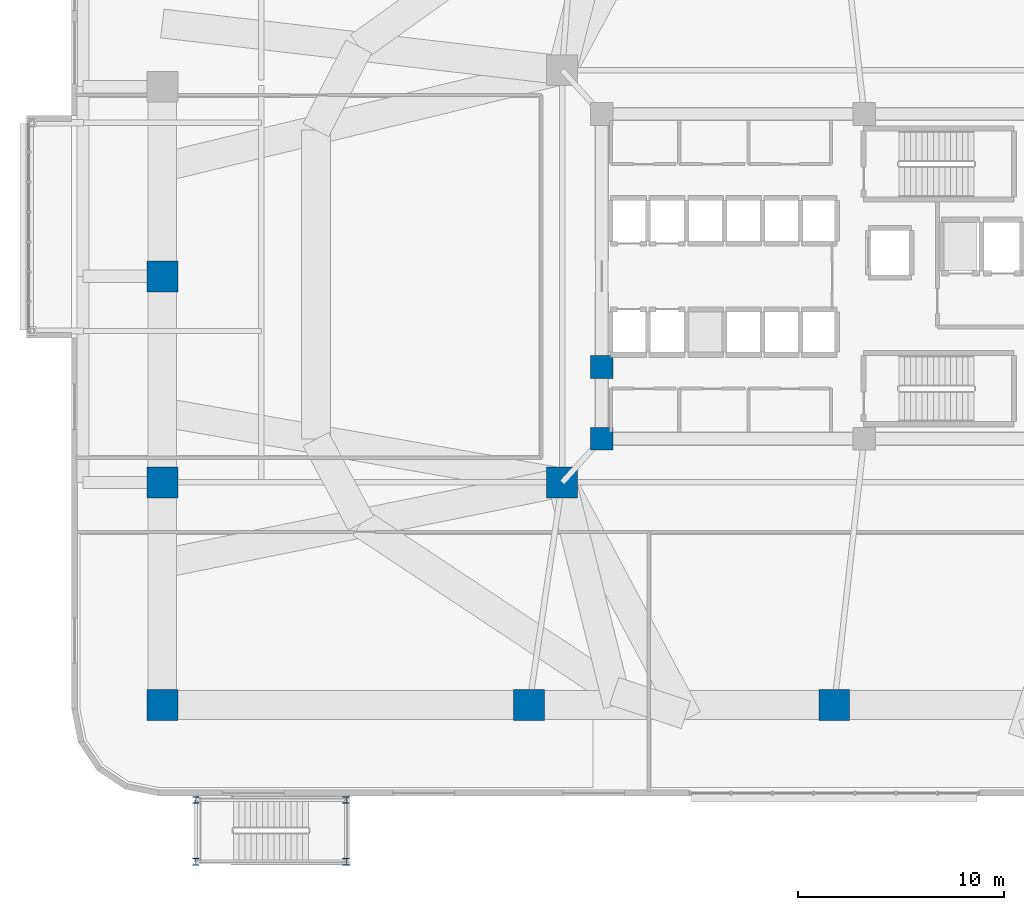
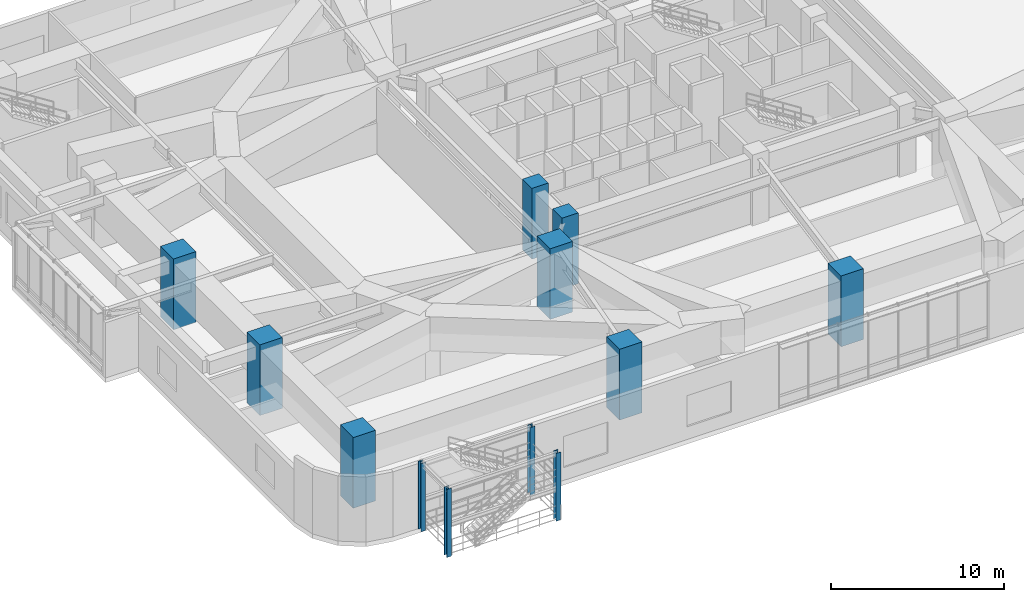
# One storey, part 1 of 26: 12 columns.
"""IFC4 building model written with IfcOpenShell, lengths in metres."""

import ifcopenshell
import ifcopenshell.guid

model = None  # the IFC model being written
_history = None  # IfcOwnerHistory: only IFC2X3 demands one
_inside = {}  # id of a spatial element -> (the spatial element, [elements in it])
_under = {}  # id of a project, library or spatial element -> (it, [spatial elements below it])
_declared = {}  # id of a project -> (the project, [libraries it declares])
_typed = {}  # id of a type object -> (the type object, [elements of that type])
_made_of = {}  # id of a material, layer set ... -> (it, [elements and type objects made of it])


def new_model(schema):
    """Start an empty IFC model of exactly this schema.

    Asked for "IFC4X3", IfcOpenShell would pick the latest addendum, in which some entities
    have other attributes; the version numbers below select the first issue.
    IFC2X3 requires an IfcOwnerHistory on every rooted entity: one is made here for all.
    """
    global model, _history
    if schema == "IFC4X3":
        model = ifcopenshell.file(schema_version=(4, 3, 0, 0))
    else:
        model = ifcopenshell.file(schema=schema)
    _inside.clear()
    _under.clear()
    _declared.clear()
    _typed.clear()
    _made_of.clear()
    _history = None
    if model.schema == "IFC2X3":
        org = make("IfcOrganization", Name="unknown")
        user = make(
            "IfcPersonAndOrganization",
            ThePerson=make("IfcPerson", FamilyName="unknown"),
            TheOrganization=org,
        )
        app = make(
            "IfcApplication",
            ApplicationDeveloper=org,
            Version="unknown",
            ApplicationFullName="unknown",
            ApplicationIdentifier="unknown",
        )
        _history = make(
            "IfcOwnerHistory",
            OwningUser=user,
            OwningApplication=app,
            ChangeAction="ADDED",
            CreationDate=0,
        )
    return model


def make(cls, **values):
    """One entity of the class cls with the attributes given. An attribute that is None is left unset."""
    return model.create_entity(
        cls, **{name: value for name, value in values.items() if value is not None}
    )


def rooted(cls, **values):
    """An entity with a GlobalId (a new one), such as an element, a storey or a relation."""
    return make(cls, GlobalId=ifcopenshell.guid.new(), OwnerHistory=_history, **values)


def si_unit(unit_type, name, prefix=None):
    """IfcSIUnit, for example si_unit("LENGTHUNIT", "METRE", prefix="MILLI")."""
    return make("IfcSIUnit", UnitType=unit_type, Prefix=prefix, Name=name)


def assignment(units):
    """IfcUnitAssignment: the units of a project."""
    return None if units is None else make("IfcUnitAssignment", Units=units)


def point(xyz):
    """IfcCartesianPoint."""
    return None if xyz is None else make("IfcCartesianPoint", Coordinates=xyz)


def direction(xyz):
    """IfcDirection."""
    return None if xyz is None else make("IfcDirection", DirectionRatios=xyz)


def frame(location, z_axis=None, x_axis=None):
    """IfcAxis2Placement3D, a coordinate frame: its origin and axes. An axis left out is left unset."""
    return make(
        "IfcAxis2Placement3D",
        Location=point(location),
        Axis=direction(z_axis),
        RefDirection=direction(x_axis),
    )


def frame_2d(location, x_axis=None):
    """IfcAxis2Placement2D, a coordinate frame in the plane: its origin and x axis."""
    return make(
        "IfcAxis2Placement2D", Location=point(location), RefDirection=direction(x_axis)
    )


def origin():
    """The frame at (0, 0, 0) with its axes left unset."""
    return frame((0.0, 0.0, 0.0))


def origin_2d():
    """The frame at (0, 0) in the plane with its x axis left unset."""
    return frame_2d((0.0, 0.0))


def place(relative_to, where):
    """IfcLocalPlacement: puts the frame where relative to a parent placement (None: the world)."""
    return make(
        "IfcLocalPlacement", PlacementRelTo=relative_to, RelativePlacement=where
    )


def context(
    kind, dimensions, precision=None, world=None, true_north=None, identifier=None
):
    """IfcGeometricRepresentationContext, for example the 3D "Model" context."""
    return make(
        "IfcGeometricRepresentationContext",
        ContextIdentifier=identifier,
        ContextType=kind,
        CoordinateSpaceDimension=dimensions,
        Precision=precision,
        WorldCoordinateSystem=world,
        TrueNorth=true_north,
    )


def subcontext(parent, identifier, kind, view, scale=None):
    """IfcGeometricRepresentationSubContext, for example "Body" below "Model"."""
    return make(
        "IfcGeometricRepresentationSubContext",
        ContextIdentifier=identifier,
        ContextType=kind,
        ParentContext=parent,
        TargetScale=scale,
        TargetView=view,
    )


def project(units=None, contexts=None):
    """IfcProject with its units and contexts."""
    return rooted(
        "IfcProject",
        Name="project",
        RepresentationContexts=contexts,
        UnitsInContext=assignment(units),
    )


def spatial(cls, under=None, at=None, **own):
    """A site, building, storey or space (cls), placed at a placement, below another one or the project."""
    s = rooted(cls, ObjectPlacement=at, **own)
    if under is not None:
        _under.setdefault(under.id(), (under, []))[1].append(s)
    return s


def profile(cls, at=None, kind="AREA", **sizes):
    """A parametric profile (cls). Its sizes go by their IFC names, for example OverallWidth=200.0."""
    return make(cls, ProfileType=kind, Position=at, **sizes)


def rectangle(**sizes):
    """IfcRectangleProfileDef."""
    return profile("IfcRectangleProfileDef", **sizes)


def i_section(**sizes):
    """IfcIShapeProfileDef."""
    return profile("IfcIShapeProfileDef", **sizes)


def extrude(swept, where, along, depth):
    """IfcExtrudedAreaSolid: the profile swept, set in the frame where, extruded along a direction by depth."""
    return make(
        "IfcExtrudedAreaSolid",
        SweptArea=swept,
        Position=where,
        ExtrudedDirection=direction(along),
        Depth=depth,
    )


def shape(context_of_items, identifier, shape_type, items):
    """IfcShapeRepresentation: the items that make up one representation, for example the "Body"."""
    return make(
        "IfcShapeRepresentation",
        ContextOfItems=context_of_items,
        RepresentationIdentifier=identifier,
        RepresentationType=shape_type,
        Items=items,
    )


def material(Name=None, Category=None):
    """IfcMaterial."""
    return make("IfcMaterial", Name=Name, Category=Category)


def material_profile(
    of_material, cross_section, Name=None, Category=None, Priority=None
):
    """IfcMaterialProfile: a cross section and its material."""
    return make(
        "IfcMaterialProfile",
        Name=Name,
        Material=of_material,
        Profile=cross_section,
        Priority=Priority,
        Category=Category,
    )


def profile_set(profiles, Name=None, composite=None):
    """IfcMaterialProfileSet."""
    return make(
        "IfcMaterialProfileSet",
        Name=Name,
        MaterialProfiles=profiles,
        CompositeProfile=composite,
    )


def made_of(thing, what):
    """Note that an element or type object is made of a material, layer set ...; save() writes the relation."""
    if what is not None:
        _made_of.setdefault(what.id(), (what, []))[1].append(thing)
    return thing


def type_object(cls, material=None, **own):
    """A type object (cls), such as IfcWallType, which elements share."""
    return made_of(rooted(cls, **own), material)


def element(
    cls,
    number,
    at=None,
    inside=None,
    cuts=None,
    type_object=None,
    material=None,
    context=None,
    identifier="Body",
    shape_type=None,
    held_by="IfcProductDefinitionShape",
    body=None,
    shapes=None,
    **own,
):
    """One element of the class cls, such as IfcWall. Its Tag is "e" and its number.

    at: its placement. inside: the storey or other place that contains it. cuts: it is an
    opening in that element (IfcRelVoidsElement). A single representation is given by context,
    identifier, shape_type and body (its items); several are given by shapes. held_by: the class
    of the entity that holds the representations. save() writes the other relations.
    """
    e = rooted(cls, Tag="e%d" % number, ObjectPlacement=at, **own)
    if body is not None:
        shapes = [shape(context, identifier, shape_type, body)]
    if shapes is not None:
        e.Representation = make(held_by, Representations=shapes)
    if inside is not None:
        _inside.setdefault(inside.id(), (inside, []))[1].append(e)
    if cuts is not None:
        rooted(
            "IfcRelVoidsElement", RelatingBuildingElement=cuts, RelatedOpeningElement=e
        )
    if type_object is not None:
        _typed.setdefault(type_object.id(), (type_object, []))[1].append(e)
    return made_of(e, material)


def aggregate(whole, parts):
    """IfcRelAggregates: a whole, such as a stair, and the parts it consists of."""
    return rooted("IfcRelAggregates", RelatingObject=whole, RelatedObjects=parts)


def save(model, path):
    """Write the relations noted so far, then the file.

    IfcRelAggregates (storeys below a building ...), IfcRelContainedInSpatialStructure (elements
    in a storey), IfcRelDefinesByType, IfcRelAssociatesMaterial and IfcRelDeclares: one each for
    every whole, place, type object, material and project.
    """
    for whole, parts in _under.values():
        aggregate(whole, parts)
    for where, things in _inside.values():
        rooted(
            "IfcRelContainedInSpatialStructure",
            RelatedElements=things,
            RelatingStructure=where,
        )
    for kind, things in _typed.values():
        rooted("IfcRelDefinesByType", RelatedObjects=things, RelatingType=kind)
    for what, things in _made_of.values():
        rooted("IfcRelAssociatesMaterial", RelatedObjects=things, RelatingMaterial=what)
    for by, libraries in _declared.values():
        rooted("IfcRelDeclares", RelatingContext=by, RelatedDefinitions=libraries)
    model.write(path)


model = new_model("IFC4")

# Units and contexts
model_context = context("Model", 3, precision=1e-05, world=origin(), true_north=direction((0.0, 1.0)))
body_context = subcontext(model_context, "Body", "Model", "MODEL_VIEW")
ifc_project = project(units=[si_unit("LENGTHUNIT", "METRE"), si_unit("AREAUNIT", "SQUARE_METRE"), si_unit("VOLUMEUNIT", "CUBIC_METRE"), si_unit("PLANEANGLEUNIT", "RADIAN"), si_unit("MASSUNIT", "GRAM", prefix="KILO")], contexts=[model_context])

# Site, building, storey
site_placement = place(None, origin())
site = spatial("IfcSite", under=ifc_project, at=site_placement, CompositionType="ELEMENT")
building_placement = place(site_placement, origin())
building = spatial("IfcBuilding", under=site, at=building_placement, Name="Zulverin Broadcast Headquarters", CompositionType="ELEMENT")
storey_placement = place(building_placement, frame((0.0, 0.0, 20.0)))
storey = spatial("IfcBuildingStorey", under=building, at=storey_placement, Name="L04", CompositionType="ELEMENT", Elevation=20.0)

# Columns
ifc_material_1 = material(Name="Concrete C60/75", Category="concrete")
ifc_material_profile_1 = material_profile(ifc_material_1, rectangle(XDim=1.5, YDim=1.5, at=origin_2d()), Name="Concrete C60/75", Category="concrete")
ifc_profile_set_1 = profile_set([ifc_material_profile_1], Name="Concrete C60/75")
column_type_1 = type_object("IfcColumnType", Name="COL-RC-1500", PredefinedType="COLUMN", material=ifc_profile_set_1)
for number, where, z_axis, x_axis, name in (
    (1, (4.39990234375, 4.39990234375, 0.0), (0.0, 0.0, 1.0), (1.0, 0.0, 0.0), "L04 Podium Mega Column P01"),
    (2, (22.199951171875, 4.39990234375, 0.0), (0.0, 0.0, 1.0), (1.0, 0.0, 0.0), "L04 Podium Mega Column P02"),
    (3, (37.0, 4.39990234375, 0.0), (0.0, 0.0, 1.0), (1.0, 0.0, 0.0), "L04 Podium Mega Column P03"),
    (4, (4.39990234375, 15.199951171875, 0.0), (0.0, 0.0, 1.0), (1.0, 0.0, 0.0), "L04 Podium Mega Column P11"),
    (5, (4.39990234375, 25.199951171875, 0.0), (0.0, 0.0, 1.0), (1.0, 0.0, 0.0), "L04 Podium Mega Column P12"),
    (6, (23.800048828125, 15.199951171875, 0.0), (0.0, 0.0, 1.0), (1.0, 0.0, 0.0), "L04 Podium Mega Column M01"),
):
    element("IfcColumn", number, at=place(storey_placement, frame(where, z_axis=z_axis, x_axis=x_axis)), inside=storey, type_object=column_type_1, Name=name, PredefinedType="COLUMN", context=body_context, shape_type="SweptSolid", body=[
        extrude(rectangle(XDim=1.5, YDim=1.5, at=origin_2d()), origin(), (0.0, 0.0, 1.0), 5.0),
    ])
ifc_material_2 = material(Name="Structural steel S355JR", Category="steel")
ifc_material_profile_2 = material_profile(ifc_material_2, i_section(OverallWidth=0.311279296875, OverallDepth=0.3271484375, WebThickness=0.015869140625, FlangeThickness=0.02490234375, at=origin_2d()), Name="Structural steel S355JR", Category="steel")
ifc_profile_set_2 = profile_set([ifc_material_profile_2], Name="Structural steel S355JR")
column_type_2 = type_object("IfcColumnType", Name="COL-UC-158", PredefinedType="COLUMN", material=ifc_profile_set_2)
for number, where, z_axis, x_axis, name in (
    (7, (6.02001953125, -3.199951171875, 0.0), (0.0, 0.0, 1.0), (1.0, 0.0, 0.0), "L04 Exterior Garden Stair Support Column ST5-P1"),
    (8, (13.320068359375, -3.199951171875, 0.0), (0.0, 0.0, 1.0), (1.0, 0.0, 0.0), "L04 Exterior Garden Stair Support Column ST5-P2"),
    (9, (6.02001953125, -0.199951171875, 0.0), (0.0, 0.0, 1.0), (1.0, 0.0, 0.0), "L04 Exterior Garden Stair Support Column ST5-P3"),
    (10, (13.320068359375, -0.199951171875, 0.0), (0.0, 0.0, 1.0), (1.0, 0.0, 0.0), "L04 Exterior Garden Stair Support Column ST5-P4"),
):
    element("IfcColumn", number, at=place(storey_placement, frame(where, z_axis=z_axis, x_axis=x_axis)), inside=storey, type_object=column_type_2, Name=name, PredefinedType="COLUMN", context=body_context, shape_type="SweptSolid", body=[
        extrude(i_section(OverallWidth=0.311279296875, OverallDepth=0.3271484375, WebThickness=0.015869140625, FlangeThickness=0.02490234375, at=origin_2d()), origin(), (0.0, 0.0, 1.0), 4.800048828125),
    ])
ifc_material_profile_3 = material_profile(ifc_material_1, rectangle(XDim=1.10009765625, YDim=1.10009765625, at=origin_2d()), Name="Concrete C60/75", Category="concrete")
ifc_profile_set_3 = profile_set([ifc_material_profile_3], Name="Concrete C60/75")
column_type_3 = type_object("IfcColumnType", Name="PIL-RC-1100", PredefinedType="PILASTER", material=ifc_profile_set_3)
for number, where, z_axis, x_axis, name in (
    (11, (25.72509765625, 17.324951171875, 0.0), (0.0, 0.0, 1.0), (1.0, 0.0, 0.0), "L04 Core Pilaster K01"),
    (12, (25.72509765625, 20.800048828125, 0.0), (0.0, 0.0, 1.0), (1.0, 0.0, 0.0), "L04 Core Pilaster K08"),
):
    element("IfcColumn", number, at=place(storey_placement, frame(where, z_axis=z_axis, x_axis=x_axis)), inside=storey, type_object=column_type_3, Name=name, PredefinedType="PILASTER", context=body_context, shape_type="SweptSolid", body=[
        extrude(rectangle(XDim=1.10009765625, YDim=1.10009765625, at=origin_2d()), origin(), (0.0, 0.0, 1.0), 5.0),
    ])

save(model, "model.ifc")
